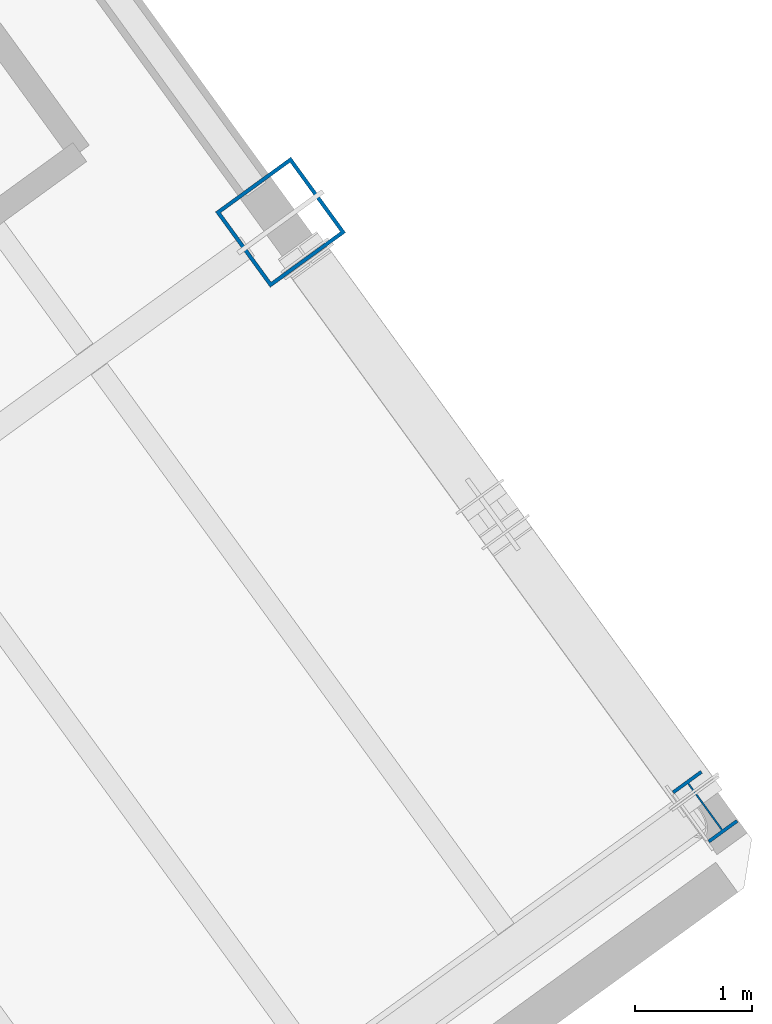
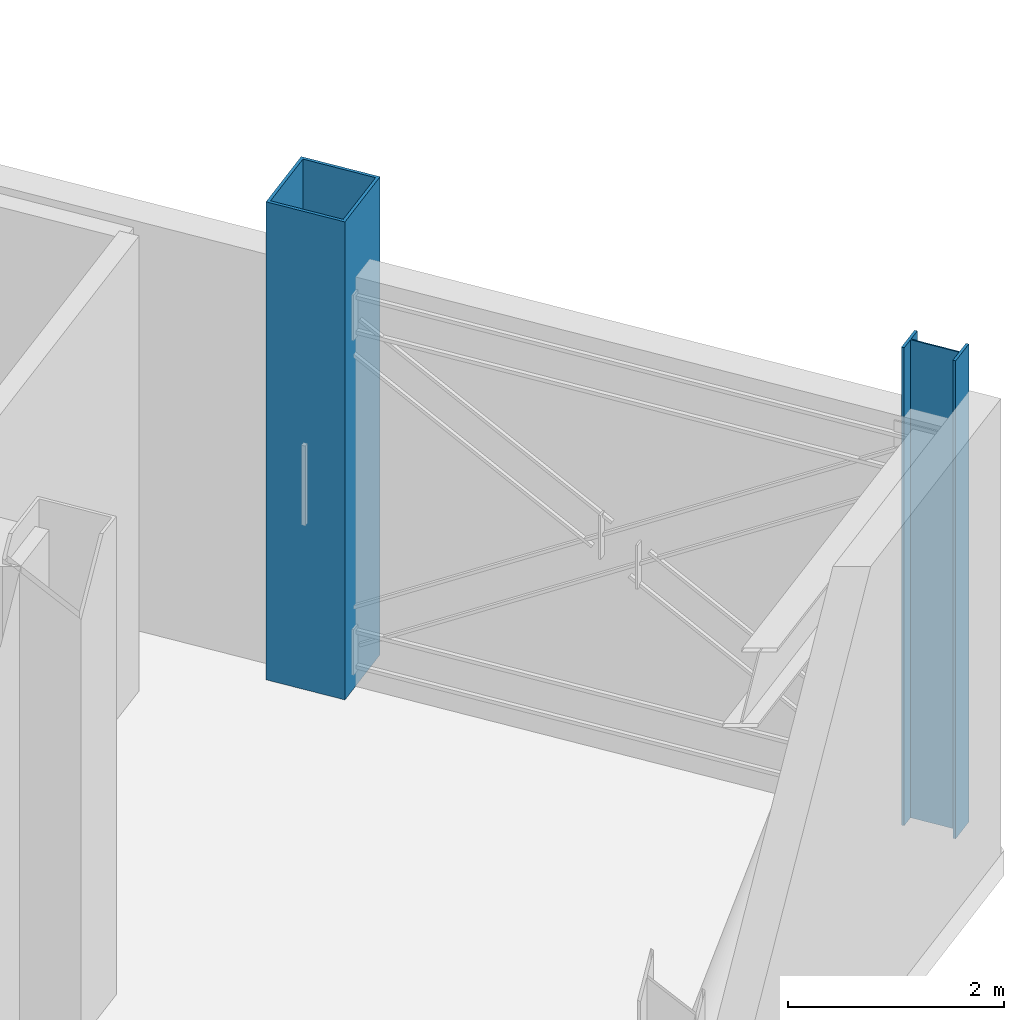
# One storey, part 4 of 30: 2 columns.
"""IFC4 building model written with IfcOpenShell, lengths in metres."""

import ifcopenshell
import ifcopenshell.guid

model = None  # the IFC model being written
_history = None  # IfcOwnerHistory: only IFC2X3 demands one
_inside = {}  # id of a spatial element -> (the spatial element, [elements in it])
_under = {}  # id of a project, library or spatial element -> (it, [spatial elements below it])
_declared = {}  # id of a project -> (the project, [libraries it declares])
_typed = {}  # id of a type object -> (the type object, [elements of that type])
_made_of = {}  # id of a material, layer set ... -> (it, [elements and type objects made of it])


def new_model(schema):
    """Start an empty IFC model of exactly this schema.

    Asked for "IFC4X3", IfcOpenShell would pick the latest addendum, in which some entities
    have other attributes; the version numbers below select the first issue.
    IFC2X3 requires an IfcOwnerHistory on every rooted entity: one is made here for all.
    """
    global model, _history
    if schema == "IFC4X3":
        model = ifcopenshell.file(schema_version=(4, 3, 0, 0))
    else:
        model = ifcopenshell.file(schema=schema)
    _inside.clear()
    _under.clear()
    _declared.clear()
    _typed.clear()
    _made_of.clear()
    _history = None
    if model.schema == "IFC2X3":
        org = make("IfcOrganization", Name="unknown")
        user = make(
            "IfcPersonAndOrganization",
            ThePerson=make("IfcPerson", FamilyName="unknown"),
            TheOrganization=org,
        )
        app = make(
            "IfcApplication",
            ApplicationDeveloper=org,
            Version="unknown",
            ApplicationFullName="unknown",
            ApplicationIdentifier="unknown",
        )
        _history = make(
            "IfcOwnerHistory",
            OwningUser=user,
            OwningApplication=app,
            ChangeAction="ADDED",
            CreationDate=0,
        )
    return model


def make(cls, **values):
    """One entity of the class cls with the attributes given. An attribute that is None is left unset."""
    return model.create_entity(
        cls, **{name: value for name, value in values.items() if value is not None}
    )


def rooted(cls, **values):
    """An entity with a GlobalId (a new one), such as an element, a storey or a relation."""
    return make(cls, GlobalId=ifcopenshell.guid.new(), OwnerHistory=_history, **values)


def si_unit(unit_type, name, prefix=None):
    """IfcSIUnit, for example si_unit("LENGTHUNIT", "METRE", prefix="MILLI")."""
    return make("IfcSIUnit", UnitType=unit_type, Prefix=prefix, Name=name)


def assignment(units):
    """IfcUnitAssignment: the units of a project."""
    return None if units is None else make("IfcUnitAssignment", Units=units)


def point(xyz):
    """IfcCartesianPoint."""
    return None if xyz is None else make("IfcCartesianPoint", Coordinates=xyz)


def direction(xyz):
    """IfcDirection."""
    return None if xyz is None else make("IfcDirection", DirectionRatios=xyz)


def frame(location, z_axis=None, x_axis=None):
    """IfcAxis2Placement3D, a coordinate frame: its origin and axes. An axis left out is left unset."""
    return make(
        "IfcAxis2Placement3D",
        Location=point(location),
        Axis=direction(z_axis),
        RefDirection=direction(x_axis),
    )


def frame_2d(location, x_axis=None):
    """IfcAxis2Placement2D, a coordinate frame in the plane: its origin and x axis."""
    return make(
        "IfcAxis2Placement2D", Location=point(location), RefDirection=direction(x_axis)
    )


def origin():
    """The frame at (0, 0, 0) with its axes left unset."""
    return frame((0.0, 0.0, 0.0))


def origin_2d():
    """The frame at (0, 0) in the plane with its x axis left unset."""
    return frame_2d((0.0, 0.0))


def place(relative_to, where):
    """IfcLocalPlacement: puts the frame where relative to a parent placement (None: the world)."""
    return make(
        "IfcLocalPlacement", PlacementRelTo=relative_to, RelativePlacement=where
    )


def context(
    kind, dimensions, precision=None, world=None, true_north=None, identifier=None
):
    """IfcGeometricRepresentationContext, for example the 3D "Model" context."""
    return make(
        "IfcGeometricRepresentationContext",
        ContextIdentifier=identifier,
        ContextType=kind,
        CoordinateSpaceDimension=dimensions,
        Precision=precision,
        WorldCoordinateSystem=world,
        TrueNorth=true_north,
    )


def subcontext(parent, identifier, kind, view, scale=None):
    """IfcGeometricRepresentationSubContext, for example "Body" below "Model"."""
    return make(
        "IfcGeometricRepresentationSubContext",
        ContextIdentifier=identifier,
        ContextType=kind,
        ParentContext=parent,
        TargetScale=scale,
        TargetView=view,
    )


def project(units=None, contexts=None):
    """IfcProject with its units and contexts."""
    return rooted(
        "IfcProject",
        Name="project",
        RepresentationContexts=contexts,
        UnitsInContext=assignment(units),
    )


def spatial(cls, under=None, at=None, **own):
    """A site, building, storey or space (cls), placed at a placement, below another one or the project."""
    s = rooted(cls, ObjectPlacement=at, **own)
    if under is not None:
        _under.setdefault(under.id(), (under, []))[1].append(s)
    return s


def profile(cls, at=None, kind="AREA", **sizes):
    """A parametric profile (cls). Its sizes go by their IFC names, for example OverallWidth=200.0."""
    return make(cls, ProfileType=kind, Position=at, **sizes)


def hollow_rectangle(**sizes):
    """IfcRectangleHollowProfileDef."""
    return profile("IfcRectangleHollowProfileDef", **sizes)


def i_section(**sizes):
    """IfcIShapeProfileDef."""
    return profile("IfcIShapeProfileDef", **sizes)


def extrude(swept, where, along, depth):
    """IfcExtrudedAreaSolid: the profile swept, set in the frame where, extruded along a direction by depth."""
    return make(
        "IfcExtrudedAreaSolid",
        SweptArea=swept,
        Position=where,
        ExtrudedDirection=direction(along),
        Depth=depth,
    )


def shape(context_of_items, identifier, shape_type, items):
    """IfcShapeRepresentation: the items that make up one representation, for example the "Body"."""
    return make(
        "IfcShapeRepresentation",
        ContextOfItems=context_of_items,
        RepresentationIdentifier=identifier,
        RepresentationType=shape_type,
        Items=items,
    )


def source(mapping_origin, context_of_items, identifier, shape_type, items):
    """IfcRepresentationMap: a shape defined once, which mapped items show again and again."""
    return make(
        "IfcRepresentationMap",
        MappingOrigin=mapping_origin,
        MappedRepresentation=shape(context_of_items, identifier, shape_type, items),
    )


def transform(
    local_origin,
    x_axis=None,
    y_axis=None,
    z_axis=None,
    scale=None,
    scale2=None,
    scale3=None,
    uniform=True,
):
    """IfcCartesianTransformationOperator3D, or its non-uniform kind. x_axis, y_axis, z_axis: its Axis1, 2, 3."""
    if uniform:
        return make(
            "IfcCartesianTransformationOperator3D",
            Axis1=direction(x_axis),
            Axis2=direction(y_axis),
            LocalOrigin=point(local_origin),
            Scale=scale,
            Axis3=direction(z_axis),
        )
    return make(
        "IfcCartesianTransformationOperator3DnonUniform",
        Axis1=direction(x_axis),
        Axis2=direction(y_axis),
        LocalOrigin=point(local_origin),
        Scale=scale,
        Axis3=direction(z_axis),
        Scale2=scale2,
        Scale3=scale3,
    )


def mapped(mapping_source, mapping_target):
    """IfcMappedItem: shows the shape of a source again, moved by a transform."""
    return make(
        "IfcMappedItem", MappingSource=mapping_source, MappingTarget=mapping_target
    )


def material(Name=None, Category=None):
    """IfcMaterial."""
    return make("IfcMaterial", Name=Name, Category=Category)


def material_profile(
    of_material, cross_section, Name=None, Category=None, Priority=None
):
    """IfcMaterialProfile: a cross section and its material."""
    return make(
        "IfcMaterialProfile",
        Name=Name,
        Material=of_material,
        Profile=cross_section,
        Priority=Priority,
        Category=Category,
    )


def profile_set(profiles, Name=None, composite=None):
    """IfcMaterialProfileSet."""
    return make(
        "IfcMaterialProfileSet",
        Name=Name,
        MaterialProfiles=profiles,
        CompositeProfile=composite,
    )


def made_of(thing, what):
    """Note that an element or type object is made of a material, layer set ...; save() writes the relation."""
    if what is not None:
        _made_of.setdefault(what.id(), (what, []))[1].append(thing)
    return thing


def type_object(cls, material=None, **own):
    """A type object (cls), such as IfcWallType, which elements share."""
    return made_of(rooted(cls, **own), material)


def element(
    cls,
    number,
    at=None,
    inside=None,
    cuts=None,
    type_object=None,
    material=None,
    context=None,
    identifier="Body",
    shape_type=None,
    held_by="IfcProductDefinitionShape",
    body=None,
    shapes=None,
    **own,
):
    """One element of the class cls, such as IfcWall. Its Tag is "e" and its number.

    at: its placement. inside: the storey or other place that contains it. cuts: it is an
    opening in that element (IfcRelVoidsElement). A single representation is given by context,
    identifier, shape_type and body (its items); several are given by shapes. held_by: the class
    of the entity that holds the representations. save() writes the other relations.
    """
    e = rooted(cls, Tag="e%d" % number, ObjectPlacement=at, **own)
    if body is not None:
        shapes = [shape(context, identifier, shape_type, body)]
    if shapes is not None:
        e.Representation = make(held_by, Representations=shapes)
    if inside is not None:
        _inside.setdefault(inside.id(), (inside, []))[1].append(e)
    if cuts is not None:
        rooted(
            "IfcRelVoidsElement", RelatingBuildingElement=cuts, RelatedOpeningElement=e
        )
    if type_object is not None:
        _typed.setdefault(type_object.id(), (type_object, []))[1].append(e)
    return made_of(e, material)


def aggregate(whole, parts):
    """IfcRelAggregates: a whole, such as a stair, and the parts it consists of."""
    return rooted("IfcRelAggregates", RelatingObject=whole, RelatedObjects=parts)


def save(model, path):
    """Write the relations noted so far, then the file.

    IfcRelAggregates (storeys below a building ...), IfcRelContainedInSpatialStructure (elements
    in a storey), IfcRelDefinesByType, IfcRelAssociatesMaterial and IfcRelDeclares: one each for
    every whole, place, type object, material and project.
    """
    for whole, parts in _under.values():
        aggregate(whole, parts)
    for where, things in _inside.values():
        rooted(
            "IfcRelContainedInSpatialStructure",
            RelatedElements=things,
            RelatingStructure=where,
        )
    for kind, things in _typed.values():
        rooted("IfcRelDefinesByType", RelatedObjects=things, RelatingType=kind)
    for what, things in _made_of.values():
        rooted("IfcRelAssociatesMaterial", RelatedObjects=things, RelatingMaterial=what)
    for by, libraries in _declared.values():
        rooted("IfcRelDeclares", RelatingContext=by, RelatedDefinitions=libraries)
    model.write(path)


model = new_model("IFC4")

# Units and contexts
model_context = context("Model", 3, precision=1e-05, world=origin(), true_north=direction((0.0, 1.0)))
body_context = subcontext(model_context, "Body", "Model", "MODEL_VIEW")
ifc_project = project(units=[si_unit("LENGTHUNIT", "METRE"), si_unit("AREAUNIT", "SQUARE_METRE"), si_unit("VOLUMEUNIT", "CUBIC_METRE"), si_unit("PLANEANGLEUNIT", "RADIAN"), si_unit("MASSUNIT", "GRAM", prefix="KILO")], contexts=[model_context])

# Site, building, storey
site_placement = place(None, origin())
site = spatial("IfcSite", under=ifc_project, at=site_placement, CompositionType="ELEMENT")
building_placement = place(site_placement, origin())
building = spatial("IfcBuilding", under=site, at=building_placement, Name="Tlacorven Tower", CompositionType="ELEMENT")
storey_placement = place(building_placement, frame((0.0, 0.0, 169.5)))
storey = spatial("IfcBuildingStorey", under=building, at=storey_placement, Name="L43", CompositionType="ELEMENT", Elevation=169.5)

# Columns
ifc_material = material(Name="Steel S460M", Category="steel")
ifc_material_profile_1 = material_profile(ifc_material, hollow_rectangle(XDim=0.800048828125, YDim=0.800048828125, WallThickness=0.031982421875, at=origin_2d()), Name="BOX 800X800X32")
ifc_profile_set_1 = profile_set([ifc_material_profile_1], Name="Steel S460M")
column_type_1 = type_object("IfcColumnType", Name="COL-TWR-S3", PredefinedType="COLUMN", material=ifc_profile_set_1)
shared_shape_1 = source(origin(), body_context, "Body", "SweptSolid", [
    extrude(hollow_rectangle(XDim=0.800048828125, YDim=0.800048828125, WallThickness=0.031982421875, at=origin_2d()), origin(), (0.0, 0.0, 1.0), 5.39990234375),
])
column_1_placement = place(storey_placement, frame((67.267822265625, 23.353515625, 0.0), z_axis=(0.0, 0.0, 1.0), x_axis=(0.809016994375, 0.587785252292, 0.0)))
element("IfcColumn", 1, at=column_1_placement, inside=storey, type_object=column_type_1, Name="L43 column COL-L43-E4-2", PredefinedType="COLUMN", context=body_context, shape_type="MappedRepresentation", body=[
    mapped(shared_shape_1, transform((0.0, 0.0, 0.0), scale=1.0)),
])
ifc_material_profile_2 = material_profile(ifc_material, i_section(OverallWidth=0.300048828125, OverallDepth=0.550048828125, WebThickness=0.014892578125, FlangeThickness=0.029052734375, at=origin_2d()), Name="HEB 550")
ifc_profile_set_2 = profile_set([ifc_material_profile_2], Name="Steel S460M")
column_type_2 = type_object("IfcColumnType", Name="COL-TWR-P2", PredefinedType="COLUMN", material=ifc_profile_set_2)
shared_shape_2 = source(origin(), body_context, "Body", "SweptSolid", [
    extrude(i_section(OverallWidth=0.300048828125, OverallDepth=0.550048828125, WebThickness=0.014892578125, FlangeThickness=0.029052734375, at=origin_2d()), origin(), (0.0, 0.0, 1.0), 5.39990234375),
])
column_2_placement = place(storey_placement, frame((70.911865234375, 18.337646484375, 0.0), z_axis=(0.0, 0.0, 1.0), x_axis=(0.809016994375, 0.587785252292, 0.0)))
element("IfcColumn", 2, at=column_2_placement, inside=storey, type_object=column_type_2, Name="L43 column COL-L43-E4-1", PredefinedType="COLUMN", context=body_context, shape_type="MappedRepresentation", body=[
    mapped(shared_shape_2, transform((0.0, 0.0, 0.0), scale=1.0)),
])

save(model, "model.ifc")
